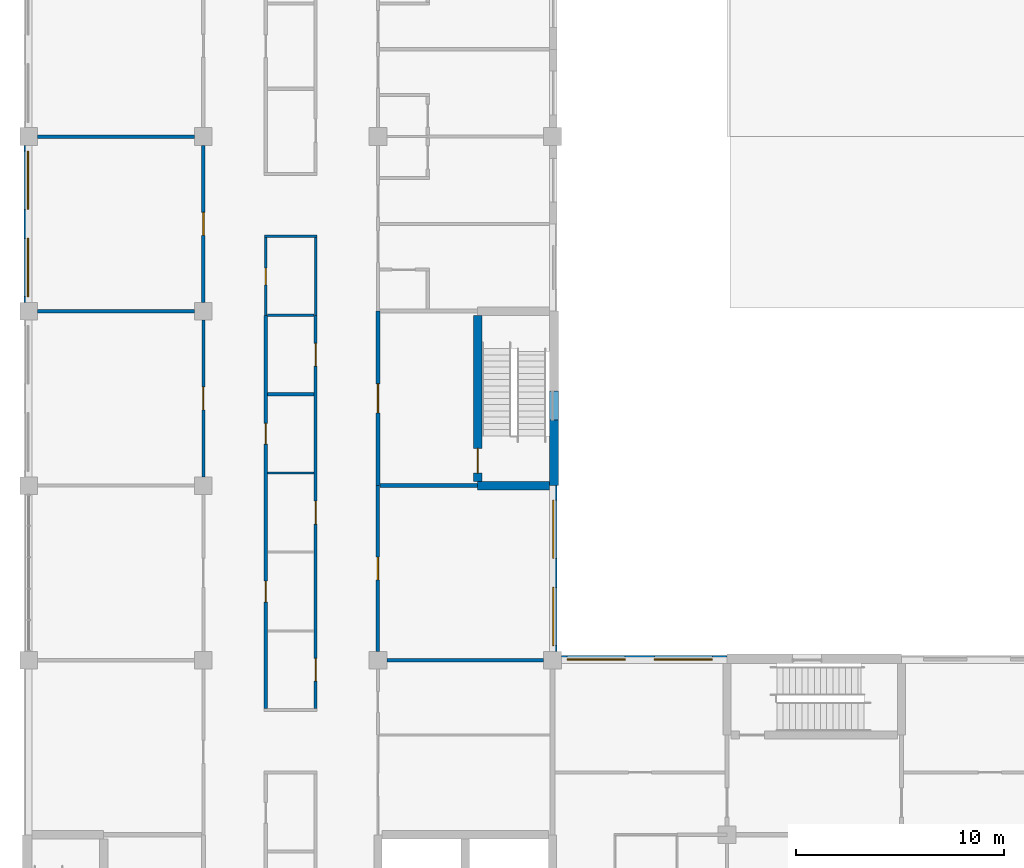
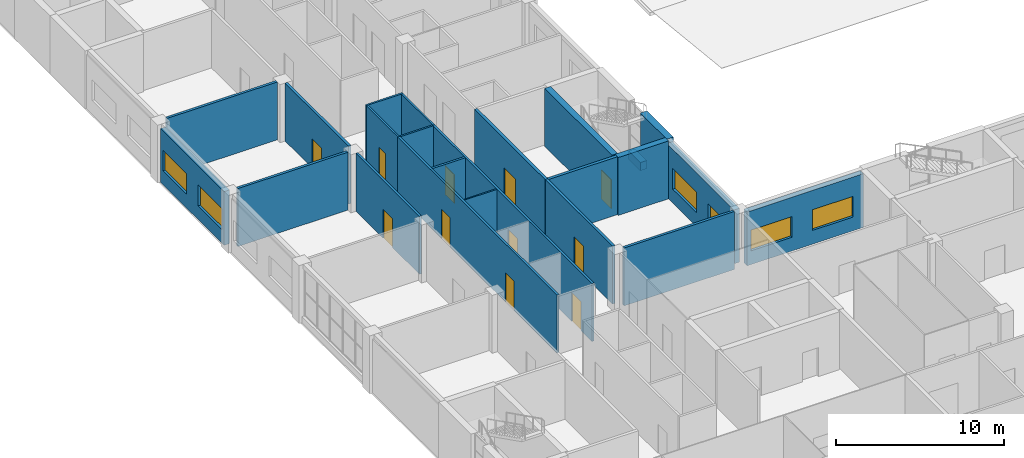
# One storey, part 36 of 66: 23 walls, 11 doors, 6 windows, 17 openings.
"""IFC4 building model written with IfcOpenShell, lengths in metres."""

from ifc_helpers import new_model, si_unit, direction, frame, frame_2d, origin, place, context, subcontext, project, spatial, rectangle, extrude, material, layer, layer_set, type_object, element, fill, save


model = new_model("IFC4")

# Units and contexts
model_context = context("Model", 3, precision=1e-05, world=origin(), true_north=direction((0.0, 1.0)))
body_context = subcontext(model_context, "Body", "Model", "MODEL_VIEW")
ifc_project = project(units=[si_unit("LENGTHUNIT", "METRE"), si_unit("AREAUNIT", "SQUARE_METRE"), si_unit("VOLUMEUNIT", "CUBIC_METRE"), si_unit("PLANEANGLEUNIT", "RADIAN"), si_unit("MASSUNIT", "GRAM", prefix="KILO")], contexts=[model_context])

# Site, building, storey
site_placement = place(None, origin())
site = spatial("IfcSite", under=ifc_project, at=site_placement, CompositionType="ELEMENT")
building_placement = place(site_placement, origin())
building = spatial("IfcBuilding", under=site, at=building_placement, Name="Yavir Park General Hospital", CompositionType="ELEMENT")
storey_placement = place(building_placement, frame((0.0, 0.0, 8.39990234375)))
storey = spatial("IfcBuildingStorey", under=building, at=storey_placement, Name="L02", CompositionType="ELEMENT", Elevation=8.39990234375)

# Walls
ifc_material_1 = material(Name="Double-leaf gypsum board acoustic partition on staggered studs")
ifc_layer_1 = layer(ifc_material_1, 0.175048828125)
ifc_layer_set_1 = layer_set([ifc_layer_1], Name="Double-leaf gypsum board acoustic partition on staggered studs")
wall_type_1 = type_object("IfcWallType", Name="Acoustic partition 175", PredefinedType="PARTITIONING", material=ifc_layer_set_1)
wall_1_placement = place(storey_placement, frame((17.22509765625, 33.60009765625, 0.0), z_axis=(0.0, 0.0, 1.0), x_axis=(1.0, 0.0, 0.0)))
element("IfcWall", 1, at=wall_1_placement, inside=storey, type_object=wall_type_1, Name="AP175 L02-083", PredefinedType="PARTITIONING", context=body_context, shape_type="SweptSolid", body=[
    extrude(rectangle(XDim=7.5498046875, YDim=0.175048828125, at=frame_2d((3.77490234375, 0.0))), origin(), (0.0, 0.0, 1.0), 4.2001953125),
])
for number, where, z_axis, x_axis, name in (
    (2, (0.425048828125, 50.39990234375, 0.0), (0.0, 0.0, 1.0), (1.0, 0.0, 0.0), "AP175 L02-092"),
    (3, (0.425048828125, 58.800048828125, 0.0), (0.0, 0.0, 1.0), (1.0, 0.0, 0.0), "AP175 L02-100"),
):
    element("IfcWall", number, at=place(storey_placement, frame(where, z_axis=z_axis, x_axis=x_axis)), inside=storey, type_object=wall_type_1, Name=name, PredefinedType="PARTITIONING", context=body_context, shape_type="SweptSolid", body=[
        extrude(rectangle(XDim=7.550048828125, YDim=0.175048828125, at=frame_2d((3.77490234375, 0.0))), origin(), (0.0, 0.0, 1.0), 4.2001953125),
    ])

# Wall, opening, door
wall_2_placement = place(storey_placement, frame((8.39990234375, 50.824951171875, 0.0), z_axis=(0.0, 0.0, 1.0), x_axis=(0.0, 1.0, 0.0)))
wall_2 = element("IfcWall", 4, at=wall_2_placement, inside=storey, type_object=wall_type_1, Name="AP175 L02-171", PredefinedType="PARTITIONING", context=body_context, shape_type="SweptSolid", body=[
    extrude(rectangle(XDim=7.550048828125, YDim=0.175048828125, at=frame_2d((3.77490234375, 0.0))), origin(), (0.0, 0.0, 1.0), 4.2001953125),
])
opening_1_placement = place(wall_2_placement, frame((3.22509765625, 0.0, 0.0)))
opening_1 = element("IfcOpeningElement", 5, at=opening_1_placement, cuts=wall_2, Name="Opening L02.D121", PredefinedType="OPENING", context=body_context, shape_type="SweptSolid", body=[
    extrude(rectangle(XDim=1.10009765625, YDim=2.10009765625, at=frame_2d((0.550048828125, 1.050048828125))), frame((0.0, 0.097412109375, 0.0), z_axis=(0.0, -1.0, 0.0), x_axis=(1.0, 0.0, 0.0)), (0.0, 0.0, 1.0), 0.195068359375),
])
ifc_material_2 = material(Name="Sealed solid-core acoustic door leaf, Rw 42 dB")
door_type_1 = type_object("IfcDoorType", Name="Acoustic door 1100 x 2100", OperationType="SINGLE_SWING_LEFT", PredefinedType="DOOR", material=ifc_material_2)
door_1_placement = place(opening_1_placement, origin())
door_1 = element("IfcDoor", 6, at=door_1_placement, inside=storey, type_object=door_type_1, Name="L02.D121", OperationType="SINGLE_SWING_RIGHT", OverallHeight=2.10009765625, OverallWidth=1.10009765625, PredefinedType="DOOR", context=body_context, shape_type="SweptSolid", body=[
    extrude(rectangle(XDim=1.10009765625, YDim=2.10009765625, at=frame_2d((0.550048828125, 1.050048828125))), frame((0.0, 0.03515625, 0.0), z_axis=(0.0, -1.0, 0.0), x_axis=(1.0, 0.0, 0.0)), (0.0, 0.0, 1.0), 0.070068359375),
])
fill(opening_1, door_1)

wall_3_placement = place(storey_placement, frame((16.800048828125, 34.02490234375, 0.0), z_axis=(0.0, 0.0, 1.0), x_axis=(0.0, 1.0, 0.0)))
wall_3 = element("IfcWall", 7, at=wall_3_placement, inside=storey, type_object=wall_type_1, Name="AP175 L02-198", PredefinedType="PARTITIONING", context=body_context, shape_type="SweptSolid", body=[
    extrude(rectangle(XDim=7.97509765625, YDim=0.175048828125, at=frame_2d((3.987548828125, 0.0))), origin(), (0.0, 0.0, 1.0), 4.2001953125),
])
opening_2_placement = place(wall_3_placement, frame((3.4375, 0.0, 0.0)))
opening_2 = element("IfcOpeningElement", 8, at=opening_2_placement, cuts=wall_3, Name="Opening L02.D156", PredefinedType="OPENING", context=body_context, shape_type="SweptSolid", body=[
    extrude(rectangle(XDim=1.10009765625, YDim=2.10009765625, at=frame_2d((0.550048828125, 1.050048828125))), frame((0.0, 0.097412109375, 0.0), z_axis=(0.0, -1.0, 0.0), x_axis=(1.0, 0.0, 0.0)), (0.0, 0.0, 1.0), 0.195068359375),
])
door_2_placement = place(opening_2_placement, origin())
door_2 = element("IfcDoor", 9, at=door_2_placement, inside=storey, type_object=door_type_1, Name="L02.D156", OperationType="SINGLE_SWING_RIGHT", OverallHeight=2.10009765625, OverallWidth=1.10009765625, PredefinedType="DOOR", context=body_context, shape_type="SweptSolid", body=[
    extrude(rectangle(XDim=1.10009765625, YDim=2.10009765625, at=frame_2d((0.550048828125, 1.050048828125))), frame((0.0, 0.03515625, 0.0), z_axis=(0.0, -1.0, 0.0), x_axis=(1.0, 0.0, 0.0)), (0.0, 0.0, 1.0), 0.070068359375),
])
fill(opening_2, door_2)

# Wall
ifc_material_3 = material(Name="Double gypsum board fire partition on steel studs", Category="steel")
ifc_layer_2 = layer(ifc_material_3, 0.199951171875)
ifc_layer_set_2 = layer_set([ifc_layer_2], Name="Double gypsum board fire partition on steel studs")
wall_type_2 = type_object("IfcWallType", Name="Fire-rated partition 200, EI 60", PredefinedType="PARTITIONING", material=ifc_layer_set_2)
wall_4_placement = place(storey_placement, frame((16.89990234375, 42.0, 0.0), z_axis=(0.0, 0.0, 1.0), x_axis=(1.0, 0.0, 0.0)))
element("IfcWall", 10, at=wall_4_placement, inside=storey, type_object=wall_type_2, Name="FP20 L02-087", PredefinedType="PARTITIONING", context=body_context, shape_type="SweptSolid", body=[
    extrude(rectangle(XDim=4.7001953125, YDim=0.199951171875, at=frame_2d((2.35009765625, 0.0))), origin(), (0.0, 0.0, 1.0), 4.2001953125),
])

# Wall, opening, door
wall_5_placement = place(storey_placement, frame((16.800048828125, 42.0, 0.0), z_axis=(0.0, 0.0, 1.0), x_axis=(0.0, 1.0, 0.0)))
wall_5 = element("IfcWall", 11, at=wall_5_placement, inside=storey, type_object=wall_type_2, Name="FP20 L02-199", PredefinedType="PARTITIONING", context=body_context, shape_type="SweptSolid", body=[
    extrude(rectangle(XDim=8.39990234375, YDim=0.199951171875, at=frame_2d((4.199951171875, 0.0))), origin(), (0.0, 0.0, 1.0), 4.2001953125),
])
opening_3_placement = place(wall_5_placement, frame((3.5, 0.0, 0.0)))
opening_3 = element("IfcOpeningElement", 12, at=opening_3_placement, cuts=wall_5, Name="Opening L02.D157", PredefinedType="OPENING", context=body_context, shape_type="SweptSolid", body=[
    extrude(rectangle(XDim=1.39990234375, YDim=2.10009765625, at=frame_2d((0.699951171875, 1.050048828125))), frame((0.0, 0.10986328125, 0.0), z_axis=(0.0, -1.0, 0.0), x_axis=(1.0, 0.0, 0.0)), (0.0, 0.0, 1.0), 0.219970703125),
])
ifc_material_4 = material(Name="Steel frame, fire-resisting leaves with vision panels", Category="steel")
door_type_2 = type_object("IfcDoorType", Name="Double fire door with vision panels 1400 x 2100, EI 60", OperationType="DOUBLE_DOOR_SINGLE_SWING", PredefinedType="DOOR", material=ifc_material_4)
door_3_placement = place(opening_3_placement, origin())
door_3 = element("IfcDoor", 13, at=door_3_placement, inside=storey, type_object=door_type_2, Name="L02.D157", OperationType="SINGLE_SWING_LEFT", OverallHeight=2.10009765625, OverallWidth=1.39990234375, PredefinedType="DOOR", context=body_context, shape_type="SweptSolid", body=[
    extrude(rectangle(XDim=1.39990234375, YDim=2.10009765625, at=frame_2d((0.699951171875, 1.050048828125))), frame((0.0, 0.030029296875, 0.0), z_axis=(0.0, -1.0, 0.0), x_axis=(1.0, 0.0, 0.0)), (0.0, 0.0, 1.0), 0.06005859375),
])
fill(opening_3, door_3)

# Walls
ifc_material_5 = material(Name="Gypsum board partition on steel studs", Category="steel")
ifc_layer_3 = layer(ifc_material_5, 0.10009765625)
ifc_layer_set_3 = layer_set([ifc_layer_3], Name="Gypsum board partition on steel studs")
wall_type_3 = type_object("IfcWallType", Name="Gypsum board partition 100", PredefinedType="PARTITIONING", material=ifc_layer_set_3)
wall_6_placement = place(storey_placement, frame((11.47509765625, 42.60009765625, 0.0), z_axis=(0.0, 0.0, 1.0), x_axis=(1.0, 0.0, 0.0)))
element("IfcWall", 14, at=wall_6_placement, inside=storey, type_object=wall_type_3, Name="P10 L02-089", PredefinedType="PARTITIONING", context=body_context, shape_type="SweptSolid", body=[
    extrude(rectangle(XDim=2.25, YDim=0.10009765625, at=frame_2d((1.125, 0.0))), origin(), (0.0, 0.0, 1.0), 4.2001953125),
])
ifc_material_6 = material(Name="Gypsum board partition on steel studs", Category="steel")
ifc_layer_4 = layer(ifc_material_6, 0.14990234375)
ifc_layer_set_4 = layer_set([ifc_layer_4], Name="Gypsum board partition on steel studs")
wall_type_4 = type_object("IfcWallType", Name="Gypsum board partition 150", PredefinedType="PARTITIONING", material=ifc_layer_set_4)
wall_7_placement = place(storey_placement, frame((11.47509765625, 46.39990234375, 0.0), z_axis=(0.0, 0.0, 1.0), x_axis=(1.0, 0.0, 0.0)))
element("IfcWall", 15, at=wall_7_placement, inside=storey, type_object=wall_type_4, Name="P15 L02-090", PredefinedType="PARTITIONING", context=body_context, shape_type="SweptSolid", body=[
    extrude(rectangle(XDim=2.25, YDim=0.14990234375, at=frame_2d((1.125, 0.0))), origin(), (0.0, 0.0, 1.0), 4.2001953125),
])

# Wall, opening, door
wall_8_placement = place(storey_placement, frame((8.39990234375, 42.425048828125, 0.0), z_axis=(0.0, 0.0, 1.0), x_axis=(0.0, 1.0, 0.0)))
wall_8 = element("IfcWall", 16, at=wall_8_placement, inside=storey, type_object=wall_type_4, Name="P15 L02-170", PredefinedType="PARTITIONING", context=body_context, shape_type="SweptSolid", body=[
    extrude(rectangle(XDim=7.550048828125, YDim=0.14990234375, at=frame_2d((3.77490234375, 0.0))), origin(), (0.0, 0.0, 1.0), 4.2001953125),
])
opening_4_placement = place(wall_8_placement, frame((3.22509765625, 0.0, 0.0)))
opening_4 = element("IfcOpeningElement", 17, at=opening_4_placement, cuts=wall_8, Name="Opening L02.D120", PredefinedType="OPENING", context=body_context, shape_type="SweptSolid", body=[
    extrude(rectangle(XDim=1.10009765625, YDim=2.10009765625, at=frame_2d((0.550048828125, 1.050048828125))), frame((0.0, 0.0849609375, 0.0), z_axis=(0.0, -1.0, 0.0), x_axis=(1.0, 0.0, 0.0)), (0.0, 0.0, 1.0), 0.169921875),
])
ifc_material_7 = material(Name="Hollow metal frame, solid-core timber leaf", Category="wood")
door_type_3 = type_object("IfcDoorType", Name="Single swing door 1100 x 2100", OperationType="SINGLE_SWING_LEFT", PredefinedType="DOOR", material=ifc_material_7)
door_4_placement = place(opening_4_placement, origin())
door_4 = element("IfcDoor", 18, at=door_4_placement, inside=storey, type_object=door_type_3, Name="L02.D120", OperationType="SINGLE_SWING_RIGHT", OverallHeight=2.10009765625, OverallWidth=1.10009765625, PredefinedType="DOOR", context=body_context, shape_type="SweptSolid", body=[
    extrude(rectangle(XDim=1.10009765625, YDim=2.10009765625, at=frame_2d((0.550048828125, 1.050048828125))), frame((0.0, 0.02490234375, 0.0), z_axis=(0.0, -1.0, 0.0), x_axis=(1.0, 0.0, 0.0)), (0.0, 0.0, 1.0), 0.050048828125),
])
fill(opening_4, door_4)

# Wall, openings, doors
wall_9_placement = place(storey_placement, frame((11.39990234375, 31.27490234375, 0.0), z_axis=(0.0, 0.0, 1.0), x_axis=(0.0, 1.0, 0.0)))
wall_9 = element("IfcWall", 19, at=wall_9_placement, inside=storey, type_object=wall_type_4, Name="P15 L02-179", PredefinedType="PARTITIONING", context=body_context, shape_type="SweptSolid", body=[
    extrude(rectangle(XDim=18.925048828125, YDim=0.14990234375, at=frame_2d((9.46240234375, 0.0))), origin(), (0.0, 0.0, 1.0), 4.2001953125),
])
opening_5_placement = place(wall_9_placement, frame((5.125, 0.0, 0.0)))
opening_5 = element("IfcOpeningElement", 20, at=opening_5_placement, cuts=wall_9, Name="Opening L02.D133", PredefinedType="OPENING", context=body_context, shape_type="SweptSolid", body=[
    extrude(rectangle(XDim=1.0, YDim=2.10009765625, at=frame_2d((0.5, 1.050048828125))), frame((0.0, 0.0849609375, 0.0), z_axis=(0.0, -1.0, 0.0), x_axis=(1.0, 0.0, 0.0)), (0.0, 0.0, 1.0), 0.169921875),
])
opening_6_placement = place(wall_9_placement, frame((12.72509765625, 0.0, 0.0)))
opening_6 = element("IfcOpeningElement", 21, at=opening_6_placement, cuts=wall_9, Name="Opening L02.D134", PredefinedType="OPENING", context=body_context, shape_type="SweptSolid", body=[
    extrude(rectangle(XDim=1.0, YDim=2.10009765625, at=frame_2d((0.5, 1.050048828125))), frame((0.0, 0.0849609375, 0.0), z_axis=(0.0, -1.0, 0.0), x_axis=(1.0, 0.0, 0.0)), (0.0, 0.0, 1.0), 0.169921875),
])
ifc_material_8 = material(Name="Hollow metal frame, solid-core timber leaf", Category="wood")
door_type_4 = type_object("IfcDoorType", Name="Single swing door 1000 x 2100", OperationType="SINGLE_SWING_LEFT", PredefinedType="DOOR", material=ifc_material_8)
door_5_placement = place(opening_5_placement, origin())
door_5 = element("IfcDoor", 22, at=door_5_placement, inside=storey, type_object=door_type_4, Name="L02.D133", OperationType="SINGLE_SWING_LEFT", OverallHeight=2.10009765625, OverallWidth=1.0, PredefinedType="DOOR", context=body_context, shape_type="SweptSolid", body=[
    extrude(rectangle(XDim=1.0, YDim=2.10009765625, at=frame_2d((0.5, 1.050048828125))), frame((0.0, 0.02490234375, 0.0), z_axis=(0.0, -1.0, 0.0), x_axis=(1.0, 0.0, 0.0)), (0.0, 0.0, 1.0), 0.050048828125),
])
fill(opening_5, door_5)
door_6_placement = place(opening_6_placement, origin())
door_6 = element("IfcDoor", 23, at=door_6_placement, inside=storey, type_object=door_type_4, Name="L02.D134", OperationType="SINGLE_SWING_LEFT", OverallHeight=2.10009765625, OverallWidth=1.0, PredefinedType="DOOR", context=body_context, shape_type="SweptSolid", body=[
    extrude(rectangle(XDim=1.0, YDim=2.10009765625, at=frame_2d((0.5, 1.050048828125))), frame((0.0, 0.02490234375, 0.0), z_axis=(0.0, -1.0, 0.0), x_axis=(1.0, 0.0, 0.0)), (0.0, 0.0, 1.0), 0.050048828125),
])
fill(opening_6, door_6)

wall_10_placement = place(storey_placement, frame((13.800048828125, 31.27490234375, 0.0), z_axis=(0.0, 0.0, 1.0), x_axis=(0.0, 1.0, 0.0)))
wall_10 = element("IfcWall", 24, at=wall_10_placement, inside=storey, type_object=wall_type_4, Name="P15 L02-186", PredefinedType="PARTITIONING", context=body_context, shape_type="SweptSolid", body=[
    extrude(rectangle(XDim=18.925048828125, YDim=0.14990234375, at=frame_2d((9.46240234375, 0.0))), origin(), (0.0, 0.0, 1.0), 4.2001953125),
])
opening_7_placement = place(wall_10_placement, frame((1.3125, 0.0, 0.0)))
opening_7 = element("IfcOpeningElement", 25, at=opening_7_placement, cuts=wall_10, Name="Opening L02.D143", PredefinedType="OPENING", context=body_context, shape_type="SweptSolid", body=[
    extrude(rectangle(XDim=1.10009765625, YDim=2.10009765625, at=frame_2d((0.550048828125, 1.050048828125))), frame((0.0, 0.0849609375, 0.0), z_axis=(0.0, -1.0, 0.0), x_axis=(1.0, 0.0, 0.0)), (0.0, 0.0, 1.0), 0.169921875),
])
opening_8_placement = place(wall_10_placement, frame((8.875, 0.0, 0.0)))
opening_8 = element("IfcOpeningElement", 26, at=opening_8_placement, cuts=wall_10, Name="Opening L02.D144", PredefinedType="OPENING", context=body_context, shape_type="SweptSolid", body=[
    extrude(rectangle(XDim=1.10009765625, YDim=2.10009765625, at=frame_2d((0.550048828125, 1.050048828125))), frame((0.0, 0.0849609375, 0.0), z_axis=(0.0, -1.0, 0.0), x_axis=(1.0, 0.0, 0.0)), (0.0, 0.0, 1.0), 0.169921875),
])
opening_9_placement = place(wall_10_placement, frame((16.47509765625, 0.0, 0.0)))
opening_9 = element("IfcOpeningElement", 27, at=opening_9_placement, cuts=wall_10, Name="Opening L02.D145", PredefinedType="OPENING", context=body_context, shape_type="SweptSolid", body=[
    extrude(rectangle(XDim=1.10009765625, YDim=2.10009765625, at=frame_2d((0.550048828125, 1.050048828125))), frame((0.0, 0.0849609375, 0.0), z_axis=(0.0, -1.0, 0.0), x_axis=(1.0, 0.0, 0.0)), (0.0, 0.0, 1.0), 0.169921875),
])
door_7_placement = place(opening_7_placement, origin())
door_7 = element("IfcDoor", 28, at=door_7_placement, inside=storey, type_object=door_type_3, Name="L02.D143", OperationType="SINGLE_SWING_LEFT", OverallHeight=2.10009765625, OverallWidth=1.10009765625, PredefinedType="DOOR", context=body_context, shape_type="SweptSolid", body=[
    extrude(rectangle(XDim=1.10009765625, YDim=2.10009765625, at=frame_2d((0.550048828125, 1.050048828125))), frame((0.0, 0.02490234375, 0.0), z_axis=(0.0, -1.0, 0.0), x_axis=(1.0, 0.0, 0.0)), (0.0, 0.0, 1.0), 0.050048828125),
])
fill(opening_7, door_7)
door_8_placement = place(opening_8_placement, origin())
door_8 = element("IfcDoor", 29, at=door_8_placement, inside=storey, type_object=door_type_3, Name="L02.D144", OperationType="SINGLE_SWING_RIGHT", OverallHeight=2.10009765625, OverallWidth=1.10009765625, PredefinedType="DOOR", context=body_context, shape_type="SweptSolid", body=[
    extrude(rectangle(XDim=1.10009765625, YDim=2.10009765625, at=frame_2d((0.550048828125, 1.050048828125))), frame((0.0, 0.02490234375, 0.0), z_axis=(0.0, -1.0, 0.0), x_axis=(1.0, 0.0, 0.0)), (0.0, 0.0, 1.0), 0.050048828125),
])
fill(opening_8, door_8)
door_9_placement = place(opening_9_placement, origin())
door_9 = element("IfcDoor", 30, at=door_9_placement, inside=storey, type_object=door_type_3, Name="L02.D145", OperationType="SINGLE_SWING_RIGHT", OverallHeight=2.10009765625, OverallWidth=1.10009765625, PredefinedType="DOOR", context=body_context, shape_type="SweptSolid", body=[
    extrude(rectangle(XDim=1.10009765625, YDim=2.10009765625, at=frame_2d((0.550048828125, 1.050048828125))), frame((0.0, 0.02490234375, 0.0), z_axis=(0.0, -1.0, 0.0), x_axis=(1.0, 0.0, 0.0)), (0.0, 0.0, 1.0), 0.050048828125),
])
fill(opening_9, door_9)

# Wall, openings, windows
ifc_material_9 = material(Name="Autoclaved aerated block, 150 mm mineral wool and sand-coloured mineral render")
ifc_layer_5 = layer(ifc_material_9, 0.375)
ifc_layer_set_5 = layer_set([ifc_layer_5], Name="Autoclaved aerated block, 150 mm mineral wool and sand-coloured mineral render")
wall_type_5 = type_object("IfcWallType", Name="Mineral render clinical wall 375, E 30", PredefinedType="SOLIDWALL", material=ifc_layer_set_5)
wall_11_placement = place(storey_placement, frame((25.625, 33.637451171875, 0.0), z_axis=(0.0, 0.0, 1.0), x_axis=(1.0, 0.0, 0.0)))
wall_11 = element("IfcWall", 31, at=wall_11_placement, inside=storey, type_object=wall_type_5, Name="XW1 L02-046", PredefinedType="SOLIDWALL", context=body_context, shape_type="SweptSolid", body=[
    extrude(rectangle(XDim=7.97509765625, YDim=0.375, at=frame_2d((3.987548828125, 0.0))), origin(), (0.0, 0.0, 1.0), 3.900146484375),
])
opening_10_placement = place(wall_11_placement, frame((0.27490234375, 0.0, 1.0)))
opening_10 = element("IfcOpeningElement", 32, at=opening_10_placement, cuts=wall_11, Name="Opening WRB2", PredefinedType="OPENING", context=body_context, shape_type="SweptSolid", body=[
    extrude(rectangle(XDim=2.800048828125, YDim=1.5, at=frame_2d((1.39990234375, 0.75))), frame((0.0, 0.197509765625, 0.0), z_axis=(0.0, -1.0, 0.0), x_axis=(1.0, 0.0, 0.0)), (0.0, 0.0, 1.0), 0.39501953125),
])
opening_11_placement = place(wall_11_placement, frame((4.47509765625, 0.0, 1.0)))
opening_11 = element("IfcOpeningElement", 33, at=opening_11_placement, cuts=wall_11, Name="Opening WRB2", PredefinedType="OPENING", context=body_context, shape_type="SweptSolid", body=[
    extrude(rectangle(XDim=2.800048828125, YDim=1.5, at=frame_2d((1.39990234375, 0.75))), frame((0.0, 0.197509765625, 0.0), z_axis=(0.0, -1.0, 0.0), x_axis=(1.0, 0.0, 0.0)), (0.0, 0.0, 1.0), 0.39501953125),
])
ifc_material_10 = material(Name="Aluminium frame, double glazed unit", Category="aluminium")
window_type = type_object("IfcWindowType", Name="Tall ribbon window 2800 x 1500", PartitioningType="DOUBLE_PANEL_VERTICAL", PredefinedType="WINDOW", material=ifc_material_10)
window_1_placement = place(opening_10_placement, origin())
window_1 = element("IfcWindow", 34, at=window_1_placement, inside=storey, type_object=window_type, Name="WRB2 L02-020", OverallHeight=1.5, OverallWidth=2.800048828125, PartitioningType="DOUBLE_PANEL_VERTICAL", PredefinedType="WINDOW", context=body_context, shape_type="SweptSolid", body=[
    extrude(rectangle(XDim=2.800048828125, YDim=1.5, at=frame_2d((1.39990234375, 0.75))), frame((0.0, 0.030029296875, 0.0), z_axis=(0.0, -1.0, 0.0), x_axis=(1.0, 0.0, 0.0)), (0.0, 0.0, 1.0), 0.06005859375),
])
fill(opening_10, window_1)
window_2_placement = place(opening_11_placement, origin())
window_2 = element("IfcWindow", 35, at=window_2_placement, inside=storey, type_object=window_type, Name="WRB2 L02-021", OverallHeight=1.5, OverallWidth=2.800048828125, PartitioningType="DOUBLE_PANEL_VERTICAL", PredefinedType="WINDOW", context=body_context, shape_type="SweptSolid", body=[
    extrude(rectangle(XDim=2.800048828125, YDim=1.5, at=frame_2d((1.39990234375, 0.75))), frame((0.0, 0.030029296875, 0.0), z_axis=(0.0, -1.0, 0.0), x_axis=(1.0, 0.0, 0.0)), (0.0, 0.0, 1.0), 0.06005859375),
])
fill(opening_11, window_2)

wall_12_placement = place(storey_placement, frame((-0.03759765625, 50.824951171875, 0.0), z_axis=(0.0, 0.0, 1.0), x_axis=(0.0, 1.0, 0.0)))
wall_12 = element("IfcWall", 36, at=wall_12_placement, inside=storey, type_object=wall_type_5, Name="XW1 L02-120", PredefinedType="SOLIDWALL", context=body_context, shape_type="SweptSolid", body=[
    extrude(rectangle(XDim=7.550048828125, YDim=0.375, at=frame_2d((3.77490234375, 0.0))), origin(), (0.0, 0.0, 1.0), 3.900146484375),
])
opening_12_placement = place(wall_12_placement, frame((0.27490234375, 0.0, 1.0)))
opening_12 = element("IfcOpeningElement", 37, at=opening_12_placement, cuts=wall_12, Name="Opening WRB2", PredefinedType="OPENING", context=body_context, shape_type="SweptSolid", body=[
    extrude(rectangle(XDim=2.800048828125, YDim=1.5, at=frame_2d((1.39990234375, 0.75))), frame((0.0, 0.197509765625, 0.0), z_axis=(0.0, -1.0, 0.0), x_axis=(1.0, 0.0, 0.0)), (0.0, 0.0, 1.0), 0.39501953125),
])
opening_13_placement = place(wall_12_placement, frame((4.47509765625, 0.0, 1.0)))
opening_13 = element("IfcOpeningElement", 38, at=opening_13_placement, cuts=wall_12, Name="Opening WRB2", PredefinedType="OPENING", context=body_context, shape_type="SweptSolid", body=[
    extrude(rectangle(XDim=2.800048828125, YDim=1.5, at=frame_2d((1.39990234375, 0.75))), frame((0.0, 0.197509765625, 0.0), z_axis=(0.0, -1.0, 0.0), x_axis=(1.0, 0.0, 0.0)), (0.0, 0.0, 1.0), 0.39501953125),
])
window_3_placement = place(opening_12_placement, origin())
window_3 = element("IfcWindow", 39, at=window_3_placement, inside=storey, type_object=window_type, Name="WRB2 L02-052", OverallHeight=1.5, OverallWidth=2.800048828125, PartitioningType="DOUBLE_PANEL_VERTICAL", PredefinedType="WINDOW", context=body_context, shape_type="SweptSolid", body=[
    extrude(rectangle(XDim=2.800048828125, YDim=1.5, at=frame_2d((1.39990234375, 0.75))), frame((0.0, 0.030029296875, 0.0), z_axis=(0.0, -1.0, 0.0), x_axis=(1.0, 0.0, 0.0)), (0.0, 0.0, 1.0), 0.06005859375),
])
fill(opening_12, window_3)
window_4_placement = place(opening_13_placement, origin())
window_4 = element("IfcWindow", 40, at=window_4_placement, inside=storey, type_object=window_type, Name="WRB2 L02-053", OverallHeight=1.5, OverallWidth=2.800048828125, PartitioningType="DOUBLE_PANEL_VERTICAL", PredefinedType="WINDOW", context=body_context, shape_type="SweptSolid", body=[
    extrude(rectangle(XDim=2.800048828125, YDim=1.5, at=frame_2d((1.39990234375, 0.75))), frame((0.0, 0.030029296875, 0.0), z_axis=(0.0, -1.0, 0.0), x_axis=(1.0, 0.0, 0.0)), (0.0, 0.0, 1.0), 0.06005859375),
])
fill(opening_13, window_4)

wall_13_placement = place(storey_placement, frame((25.237548828125, 34.02490234375, 0.0), z_axis=(0.0, 0.0, 1.0), x_axis=(0.0, 1.0, 0.0)))
wall_13 = element("IfcWall", 41, at=wall_13_placement, inside=storey, type_object=wall_type_5, Name="XW1 L02-136", PredefinedType="SOLIDWALL", context=body_context, shape_type="SweptSolid", body=[
    extrude(rectangle(XDim=7.97509765625, YDim=0.375, at=frame_2d((3.987548828125, 0.0))), origin(), (0.0, 0.0, 1.0), 3.900146484375),
])
opening_14_placement = place(wall_13_placement, frame((0.27490234375, 0.0, 1.0)))
opening_14 = element("IfcOpeningElement", 42, at=opening_14_placement, cuts=wall_13, Name="Opening WRB2", PredefinedType="OPENING", context=body_context, shape_type="SweptSolid", body=[
    extrude(rectangle(XDim=2.800048828125, YDim=1.5, at=frame_2d((1.39990234375, 0.75))), frame((0.0, 0.197509765625, 0.0), z_axis=(0.0, -1.0, 0.0), x_axis=(1.0, 0.0, 0.0)), (0.0, 0.0, 1.0), 0.39501953125),
])
opening_15_placement = place(wall_13_placement, frame((4.47509765625, 0.0, 1.0)))
opening_15 = element("IfcOpeningElement", 43, at=opening_15_placement, cuts=wall_13, Name="Opening WRB2", PredefinedType="OPENING", context=body_context, shape_type="SweptSolid", body=[
    extrude(rectangle(XDim=2.800048828125, YDim=1.5, at=frame_2d((1.39990234375, 0.75))), frame((0.0, 0.197509765625, 0.0), z_axis=(0.0, -1.0, 0.0), x_axis=(1.0, 0.0, 0.0)), (0.0, 0.0, 1.0), 0.39501953125),
])
window_5_placement = place(opening_14_placement, origin())
window_5 = element("IfcWindow", 44, at=window_5_placement, inside=storey, type_object=window_type, Name="WRB2 L02-056", OverallHeight=1.5, OverallWidth=2.800048828125, PartitioningType="DOUBLE_PANEL_VERTICAL", PredefinedType="WINDOW", context=body_context, shape_type="SweptSolid", body=[
    extrude(rectangle(XDim=2.800048828125, YDim=1.5, at=frame_2d((1.39990234375, 0.75))), frame((0.0, 0.030029296875, 0.0), z_axis=(0.0, -1.0, 0.0), x_axis=(1.0, 0.0, 0.0)), (0.0, 0.0, 1.0), 0.06005859375),
])
fill(opening_14, window_5)
window_6_placement = place(opening_15_placement, origin())
window_6 = element("IfcWindow", 45, at=window_6_placement, inside=storey, type_object=window_type, Name="WRB2 L02-057", OverallHeight=1.5, OverallWidth=2.800048828125, PartitioningType="DOUBLE_PANEL_VERTICAL", PredefinedType="WINDOW", context=body_context, shape_type="SweptSolid", body=[
    extrude(rectangle(XDim=2.800048828125, YDim=1.5, at=frame_2d((1.39990234375, 0.75))), frame((0.0, 0.030029296875, 0.0), z_axis=(0.0, -1.0, 0.0), x_axis=(1.0, 0.0, 0.0)), (0.0, 0.0, 1.0), 0.06005859375),
])
fill(opening_15, window_6)

# Wall
ifc_material_11 = material(Name="Concrete C35/45", Category="concrete")
ifc_layer_6 = layer(ifc_material_11, 0.39990234375)
ifc_layer_set_6 = layer_set([ifc_layer_6], Name="Concrete C35/45")
wall_type_6 = type_object("IfcWallType", Name="Reinforced concrete core wall 400, REI 150", PredefinedType="SHEAR", material=ifc_layer_set_6)
wall_14_placement = place(storey_placement, frame((21.60009765625, 42.0, 0.0), z_axis=(0.0, 0.0, 1.0), x_axis=(1.0, 0.0, 0.0)))
element("IfcWall", 46, at=wall_14_placement, inside=storey, type_object=wall_type_6, Name="CW40 L02-088", PredefinedType="SHEAR", context=body_context, shape_type="SweptSolid", body=[
    extrude(rectangle(XDim=3.449951171875, YDim=0.39990234375, at=frame_2d((1.72509765625, 0.0))), origin(), (0.0, 0.0, 1.0), 4.2001953125),
])

# Wall, opening, door
wall_15_placement = place(storey_placement, frame((21.60009765625, 42.199951171875, 0.0), z_axis=(0.0, 0.0, 1.0), x_axis=(0.0, 1.0, 0.0)))
wall_15 = element("IfcWall", 47, at=wall_15_placement, inside=storey, type_object=wall_type_6, Name="CW40 L02-213", PredefinedType="SHEAR", context=body_context, shape_type="SweptSolid", body=[
    extrude(rectangle(XDim=8.0, YDim=0.39990234375, at=frame_2d((4.0, 0.0))), origin(), (0.0, 0.0, 1.0), 4.2001953125),
])
opening_16_placement = place(wall_15_placement, frame((0.39990234375, 0.0, 0.0)))
opening_16 = element("IfcOpeningElement", 48, at=opening_16_placement, cuts=wall_15, Name="Opening L02.D172", PredefinedType="OPENING", context=body_context, shape_type="SweptSolid", body=[
    extrude(rectangle(XDim=1.199951171875, YDim=2.10009765625, at=frame_2d((0.60009765625, 1.050048828125))), frame((0.0, 0.2099609375, 0.0), z_axis=(0.0, -1.0, 0.0), x_axis=(1.0, 0.0, 0.0)), (0.0, 0.0, 1.0), 0.419921875),
])
ifc_material_12 = material(Name="Steel frame, fire-resisting timber leaf", Category="steel")
door_type_5 = type_object("IfcDoorType", Name="Fire door 1200 x 2100, EI 60", OperationType="SINGLE_SWING_LEFT", PredefinedType="DOOR", material=ifc_material_12)
door_10_placement = place(opening_16_placement, origin())
door_10 = element("IfcDoor", 49, at=door_10_placement, inside=storey, type_object=door_type_5, Name="L02.D172", OperationType="SINGLE_SWING_LEFT", OverallHeight=2.10009765625, OverallWidth=1.199951171875, PredefinedType="DOOR", context=body_context, shape_type="SweptSolid", body=[
    extrude(rectangle(XDim=1.199951171875, YDim=2.10009765625, at=frame_2d((0.60009765625, 1.050048828125))), frame((0.0, 0.02490234375, 0.0), z_axis=(0.0, -1.0, 0.0), x_axis=(1.0, 0.0, 0.0)), (0.0, 0.0, 1.0), 0.050048828125),
])
fill(opening_16, door_10)

# Walls
ifc_material_13 = material(Name="Gypsum shaft wall system on steel studs", Category="steel")
ifc_layer_7 = layer(ifc_material_13, 0.125)
ifc_layer_set_7 = layer_set([ifc_layer_7], Name="Gypsum shaft wall system on steel studs")
wall_type_7 = type_object("IfcWallType", Name="Shaft wall 125, EI 90", PredefinedType="SOLIDWALL", material=ifc_layer_set_7)
wall_16_placement = place(storey_placement, frame((11.47509765625, 50.199951171875, 0.0), z_axis=(0.0, 0.0, 1.0), x_axis=(1.0, 0.0, 0.0)))
element("IfcWall", 50, at=wall_16_placement, inside=storey, type_object=wall_type_7, Name="SW125 L02-091", PredefinedType="SOLIDWALL", context=body_context, shape_type="SweptSolid", body=[
    extrude(rectangle(XDim=2.25, YDim=0.125, at=frame_2d((1.125, 0.0))), origin(), (0.0, 0.0, 1.0), 4.2001953125),
])
wall_17_placement = place(storey_placement, frame((11.33740234375, 54.0, 0.0), z_axis=(0.0, 0.0, 1.0), x_axis=(1.0, 0.0, 0.0)))
element("IfcWall", 51, at=wall_17_placement, inside=storey, type_object=wall_type_7, Name="SW125 L02-096", PredefinedType="SOLIDWALL", context=body_context, shape_type="SweptSolid", body=[
    extrude(rectangle(XDim=2.525146484375, YDim=0.125, at=frame_2d((1.2626953125, 0.0))), origin(), (0.0, 0.0, 1.0), 4.2001953125),
])

# Wall, opening, door
wall_18_placement = place(storey_placement, frame((11.39990234375, 50.199951171875, 0.0), z_axis=(0.0, 0.0, 1.0), x_axis=(0.0, 1.0, 0.0)))
wall_18 = element("IfcWall", 52, at=wall_18_placement, inside=storey, type_object=wall_type_7, Name="SW125 L02-180", PredefinedType="SOLIDWALL", context=body_context, shape_type="SweptSolid", body=[
    extrude(rectangle(XDim=3.737548828125, YDim=0.125, at=frame_2d((1.86865234375, 0.0))), origin(), (0.0, 0.0, 1.0), 4.2001953125),
])
opening_17_placement = place(wall_18_placement, frame((1.46875, 0.0, 0.0)))
opening_17 = element("IfcOpeningElement", 53, at=opening_17_placement, cuts=wall_18, Name="Opening L02.D135", PredefinedType="OPENING", context=body_context, shape_type="SweptSolid", body=[
    extrude(rectangle(XDim=0.800048828125, YDim=2.10009765625, at=frame_2d((0.39990234375, 1.050048828125))), frame((0.0, 0.072509765625, 0.0), z_axis=(0.0, -1.0, 0.0), x_axis=(1.0, 0.0, 0.0)), (0.0, 0.0, 1.0), 0.14501953125),
])
ifc_material_14 = material(Name="Steel frame, fire-resisting access leaf", Category="steel")
door_type_6 = type_object("IfcDoorType", Name="Fire-resisting riser access door 800 x 2100, EI 90", OperationType="SINGLE_SWING_LEFT", PredefinedType="DOOR", material=ifc_material_14)
door_11_placement = place(opening_17_placement, origin())
door_11 = element("IfcDoor", 54, at=door_11_placement, inside=storey, type_object=door_type_6, Name="L02.D135", OperationType="SINGLE_SWING_LEFT", OverallHeight=2.10009765625, OverallWidth=0.800048828125, PredefinedType="DOOR", context=body_context, shape_type="SweptSolid", body=[
    extrude(rectangle(XDim=0.800048828125, YDim=2.10009765625, at=frame_2d((0.39990234375, 1.050048828125))), frame((0.0, 0.030029296875, 0.0), z_axis=(0.0, -1.0, 0.0), x_axis=(1.0, 0.0, 0.0)), (0.0, 0.0, 1.0), 0.06005859375),
])
fill(opening_17, door_11)

# Walls
wall_19_placement = place(storey_placement, frame((13.800048828125, 50.199951171875, 0.0), z_axis=(0.0, 0.0, 1.0), x_axis=(0.0, 1.0, 0.0)))
element("IfcWall", 55, at=wall_19_placement, inside=storey, type_object=wall_type_7, Name="SW125 L02-187", PredefinedType="SOLIDWALL", context=body_context, shape_type="SweptSolid", body=[
    extrude(rectangle(XDim=3.737548828125, YDim=0.125, at=frame_2d((1.86865234375, 0.0))), origin(), (0.0, 0.0, 1.0), 4.2001953125),
])
ifc_material_15 = material(Name="Concrete C30/37 precast panel with 150 mm mineral wool insulation", Category="concrete")
ifc_layer_8 = layer(ifc_material_15, 0.449951171875)
ifc_layer_set_8 = layer_set([ifc_layer_8], Name="Concrete C30/37 precast panel with 150 mm mineral wool insulation")
wall_type_8 = type_object("IfcWallType", Name="Stair enclosure wall 450, REI 150", PredefinedType="SOLIDWALL", material=ifc_layer_set_8)
wall_20_placement = place(storey_placement, frame((25.27490234375, 42.0, 0.0), z_axis=(0.0, 0.0, 1.0), x_axis=(0.0, 1.0, 0.0)))
element("IfcWall", 56, at=wall_20_placement, inside=storey, type_object=wall_type_8, Name="XW6 L02-137", PredefinedType="SOLIDWALL", context=body_context, shape_type="SweptSolid", body=[
    extrude(rectangle(XDim=3.14990234375, YDim=0.449951171875, at=frame_2d((1.574951171875, 0.0))), origin(), (0.0, 0.0, 1.0), 4.2001953125),
])
wall_21_placement = place(storey_placement, frame((25.27490234375, 45.14990234375, 0.0), z_axis=(0.0, 0.0, 1.0), x_axis=(0.0, 1.0, 0.0)))
element("IfcWall", 57, at=wall_21_placement, inside=storey, type_object=wall_type_8, Name="XW6 L02-139", PredefinedType="SOLIDWALL", context=body_context, shape_type="SweptSolid", body=[
    extrude(rectangle(XDim=1.400146484375, YDim=0.449951171875, at=frame_2d((0.7001953125, 0.0))), origin(), (0.0, 0.0, 1.0), 0.60009765625),
])

save(model, "model.ifc")
